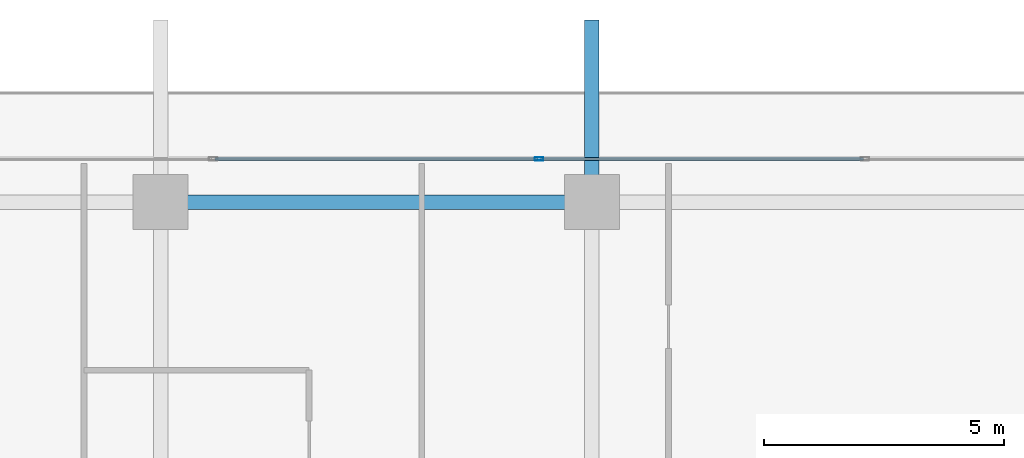
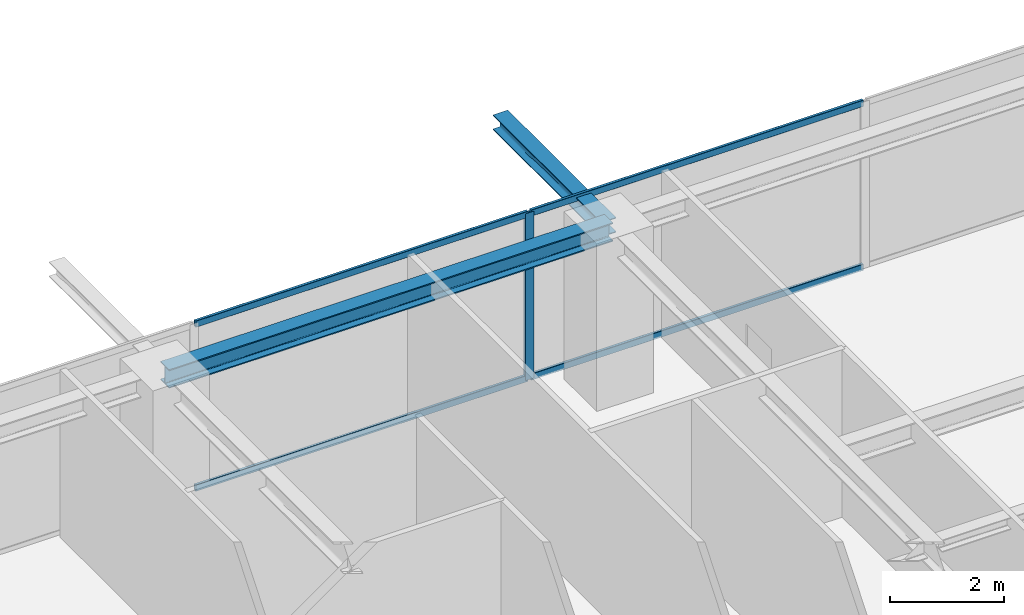
# One storey, part 21 of 37: 5 members, 2 beams, 1 element without a shape of its own.
"""IFC4 building model written with IfcOpenShell, lengths in metres."""

from ifc_helpers import new_model, si_unit, direction, frame, origin, origin_2d, place, context, subcontext, project, spatial, hollow_rectangle, i_section, extrude, source, transform, mapped, material, layer, layer_set, material_profile, profile_set, type_object, element, aggregate, save


model = new_model("IFC4")

# Units and contexts
model_context = context("Model", 3, precision=1e-05, world=origin(), true_north=direction((0.0, 1.0)))
body_context = subcontext(model_context, "Body", "Model", "MODEL_VIEW")
ifc_project = project(units=[si_unit("LENGTHUNIT", "METRE"), si_unit("AREAUNIT", "SQUARE_METRE"), si_unit("VOLUMEUNIT", "CUBIC_METRE"), si_unit("PLANEANGLEUNIT", "RADIAN"), si_unit("MASSUNIT", "GRAM", prefix="KILO")], contexts=[model_context])

# Site, building, storey
site_placement = place(None, origin())
site = spatial("IfcSite", under=ifc_project, at=site_placement, CompositionType="ELEMENT")
building_placement = place(site_placement, origin())
building = spatial("IfcBuilding", under=site, at=building_placement, Name="Serunith Strait Residences", CompositionType="ELEMENT")
storey_placement = place(building_placement, frame((0.0, 0.0, 260.5)))
storey = spatial("IfcBuildingStorey", under=building, at=storey_placement, Name="L65", CompositionType="ELEMENT", Elevation=260.5)

# Beams
ifc_material_1 = material(Name="Steel S355J2", Category="steel")
ifc_material_profile_1 = material_profile(ifc_material_1, i_section(OverallWidth=0.300048828125, OverallDepth=0.39990234375, WebThickness=0.013427734375, FlangeThickness=0.02392578125, FilletRadius=0.027099609375, at=origin_2d()), Name="HEB 400")
ifc_profile_set_1 = profile_set([ifc_material_profile_1], Name="Steel S355J2")
beam_type_1 = type_object("IfcBeamType", Name="BM-HEB400", PredefinedType="BEAM", material=ifc_profile_set_1)
shared_shape_1 = source(origin(), body_context, "Body", "SweptSolid", [
    extrude(i_section(OverallWidth=0.300048828125, OverallDepth=0.39990234375, WebThickness=0.013427734375, FlangeThickness=0.02392578125, FilletRadius=0.027099609375, at=origin_2d()), origin(), (0.0, 0.0, 1.0), 9.0),
])
beam_1_placement = place(storey_placement, frame((36.89990234375, 48.300048828125, 3.386962890625), z_axis=(-1.0, 0.0, 0.0), x_axis=(0.0, -1.0, 0.0)))
element("IfcBeam", 1, at=beam_1_placement, inside=storey, type_object=beam_type_1, Name="L65 Perimeter Ring Beam 10", PredefinedType="BEAM", context=body_context, shape_type="MappedRepresentation", body=[
    mapped(shared_shape_1, transform((0.0, 0.0, 0.0), scale=1.0)),
])
ifc_material_profile_2 = material_profile(ifc_material_1, i_section(OverallWidth=0.300048828125, OverallDepth=0.320068359375, WebThickness=0.011474609375, FlangeThickness=0.0205078125, FilletRadius=0.027099609375, at=origin_2d()), Name="HEB 320")
ifc_profile_set_2 = profile_set([ifc_material_profile_2], Name="Steel S355J2")
beam_type_2 = type_object("IfcBeamType", Name="BM-HEB320", PredefinedType="BEAM", material=ifc_profile_set_2)
shared_shape_2 = source(origin(), body_context, "Body", "SweptSolid", [
    extrude(i_section(OverallWidth=0.300048828125, OverallDepth=0.320068359375, WebThickness=0.011474609375, FlangeThickness=0.0205078125, FilletRadius=0.027099609375, at=origin_2d()), origin(), (0.0, 0.0, 1.0), 3.800048828125),
])
beam_2_placement = place(storey_placement, frame((36.89990234375, 48.300048828125, 3.39697265625), z_axis=(0.0, 1.0, 0.0), x_axis=(-1.0, 0.0, 0.0)))
element("IfcBeam", 2, at=beam_2_placement, inside=storey, type_object=beam_type_2, Name="L66 Cantilevered Balcony Rib TC-N3", PredefinedType="BEAM", context=body_context, shape_type="MappedRepresentation", body=[
    mapped(shared_shape_2, transform((0.0, 0.0, 0.0), scale=1.0)),
])

# Curtain wall, members
ifc_material_2 = material(Name="Pale-Champagne Anodised Aluminium", Category="aluminium")
ifc_layer = layer(ifc_material_2, 0.199951171875, Name="Pale-Champagne Anodised Aluminium")
ifc_layer_set = layer_set([ifc_layer], Name="Pale-Champagne Anodised Aluminium")
curtain_wall_type = type_object("IfcCurtainWallType", Name="CW-SYS4", PredefinedType="NOTDEFINED", material=ifc_layer_set)
curtain_wall_placement = place(storey_placement, origin())
curtain_wall = element("IfcCurtainWall", 3, at=curtain_wall_placement, inside=storey, type_object=curtain_wall_type, Name="L65 N Unitised Fritted Curtain Wall", PredefinedType="NOTDEFINED")
ifc_material_profile_3 = material_profile(ifc_material_2, hollow_rectangle(XDim=0.06494140625, YDim=0.179931640625, WallThickness=0.00341796875, InnerFilletRadius=0.00537109375, OuterFilletRadius=0.0087890625, at=origin_2d()), Name="ALU 180x65x3.5")
ifc_profile_set_3 = profile_set([ifc_material_profile_3], Name="Pale-Champagne Anodised Aluminium")
member_type_1 = type_object("IfcMemberType", Name="CW-SYS4-MULL", PredefinedType="MULLION", material=ifc_profile_set_3)
shared_shape_3 = source(origin(), body_context, "Body", "SweptSolid", [
    extrude(hollow_rectangle(XDim=0.06494140625, YDim=0.179931640625, WallThickness=0.00341796875, InnerFilletRadius=0.00537109375, OuterFilletRadius=0.0087890625, at=origin_2d()), origin(), (0.0, 0.0, 1.0), 3.574951171875),
])
member_1_placement = place(storey_placement, frame((35.800048828125, 49.199951171875, 0.0), z_axis=(0.0, 0.0, 1.0), x_axis=(0.0, -1.0, 0.0)))
member_1 = element("IfcMember", 4, at=member_1_placement, type_object=member_type_1, Name="CW-4 mullion 3", PredefinedType="MULLION", context=body_context, shape_type="MappedRepresentation", body=[
    mapped(shared_shape_3, transform((0.0, 0.0, 0.0), scale=1.0)),
])
ifc_material_profile_4 = material_profile(ifc_material_2, hollow_rectangle(XDim=0.06005859375, YDim=0.139892578125, WallThickness=0.00341796875, InnerFilletRadius=0.00537109375, OuterFilletRadius=0.0087890625, at=origin_2d()), Name="ALU 140x60x3.5")
ifc_profile_set_4 = profile_set([ifc_material_profile_4], Name="Pale-Champagne Anodised Aluminium")
member_type_2 = type_object("IfcMemberType", Name="CW-SYS4-TRAN", PredefinedType="USERDEFINED", material=ifc_profile_set_4)
shared_shape_4 = source(origin(), body_context, "Body", "SweptSolid", [
    extrude(hollow_rectangle(XDim=0.06005859375, YDim=0.139892578125, WallThickness=0.00341796875, InnerFilletRadius=0.00537109375, OuterFilletRadius=0.0087890625, at=origin_2d()), origin(), (0.0, 0.0, 1.0), 6.73486328125),
])
member_2_placement = place(storey_placement, frame((42.5673828125, 49.199951171875, 0.030029296875), z_axis=(-1.0, 0.0, 0.0), x_axis=(0.0, -1.0, 0.0)))
member_2 = element("IfcMember", 5, at=member_2_placement, type_object=member_type_2, Name="CW-4 transom 2.1", ObjectType="TRANSOM", PredefinedType="USERDEFINED", context=body_context, shape_type="MappedRepresentation", body=[
    mapped(shared_shape_4, transform((0.0, 0.0, 0.0), scale=1.0)),
])
member_3_placement = place(storey_placement, frame((42.5673828125, 49.199951171875, 3.544921875), z_axis=(-1.0, 0.0, 0.0), x_axis=(0.0, -1.0, 0.0)))
member_3 = element("IfcMember", 6, at=member_3_placement, type_object=member_type_2, Name="CW-4 transom 2.2", ObjectType="TRANSOM", PredefinedType="USERDEFINED", context=body_context, shape_type="MappedRepresentation", body=[
    mapped(shared_shape_4, transform((0.0, 0.0, 0.0), scale=1.0)),
])
shared_shape_5 = source(origin(), body_context, "Body", "SweptSolid", [
    extrude(hollow_rectangle(XDim=0.06005859375, YDim=0.139892578125, WallThickness=0.00341796875, InnerFilletRadius=0.00537109375, OuterFilletRadius=0.0087890625, at=origin_2d()), origin(), (0.0, 0.0, 1.0), 6.735107421875),
])
member_4_placement = place(storey_placement, frame((35.767578125, 49.199951171875, 0.030029296875), z_axis=(-1.0, 0.0, 0.0), x_axis=(0.0, -1.0, 0.0)))
member_4 = element("IfcMember", 7, at=member_4_placement, type_object=member_type_2, Name="CW-4 transom 3.1", ObjectType="TRANSOM", PredefinedType="USERDEFINED", context=body_context, shape_type="MappedRepresentation", body=[
    mapped(shared_shape_5, transform((0.0, 0.0, 0.0), scale=1.0)),
])
member_5_placement = place(storey_placement, frame((35.767578125, 49.199951171875, 3.544921875), z_axis=(-1.0, 0.0, 0.0), x_axis=(0.0, -1.0, 0.0)))
member_5 = element("IfcMember", 8, at=member_5_placement, type_object=member_type_2, Name="CW-4 transom 3.2", ObjectType="TRANSOM", PredefinedType="USERDEFINED", context=body_context, shape_type="MappedRepresentation", body=[
    mapped(shared_shape_5, transform((0.0, 0.0, 0.0), scale=1.0)),
])
aggregate(curtain_wall, [member_1, member_2, member_3, member_4, member_5])

save(model, "model.ifc")
